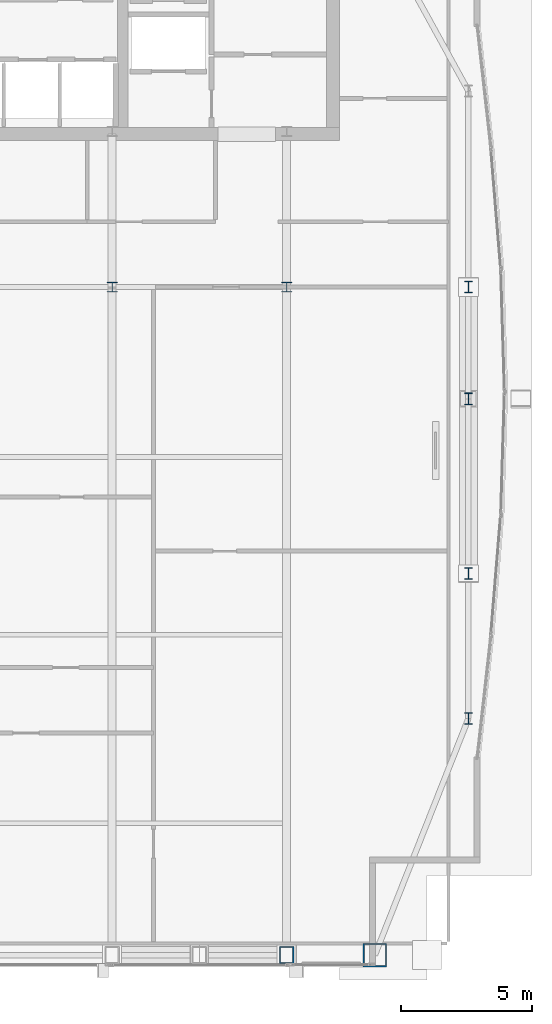
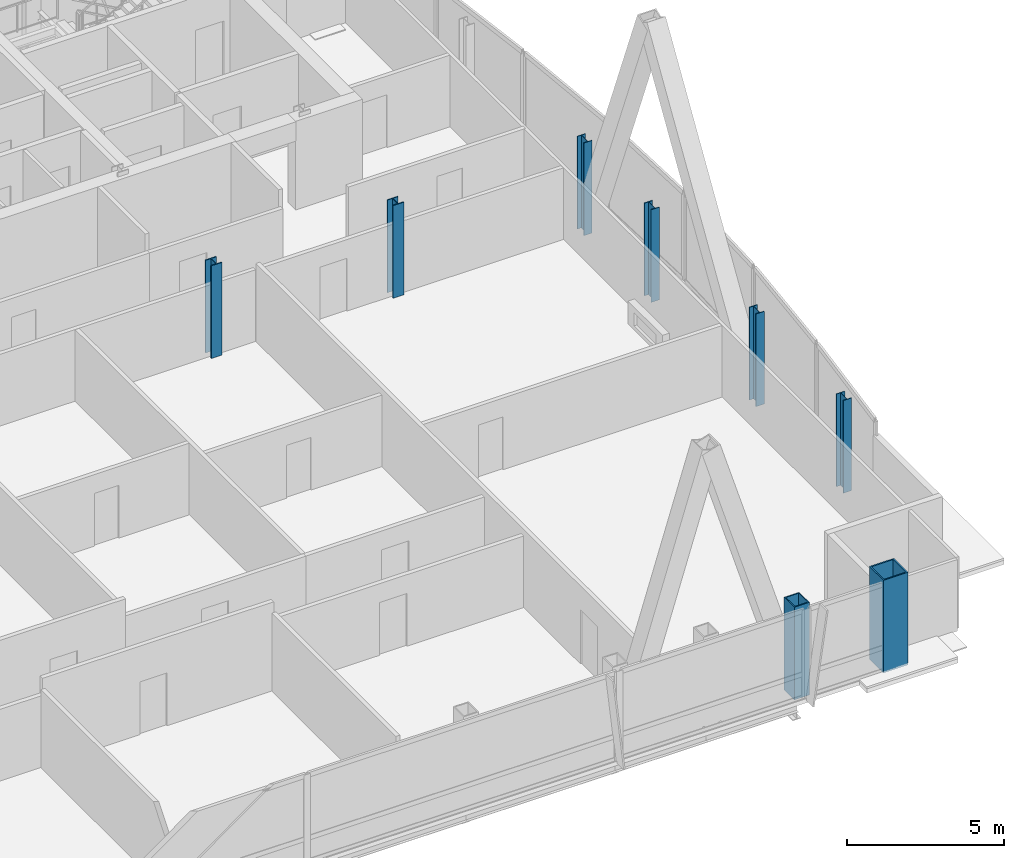
# One storey, part 2 of 28: 8 columns.
"""IFC4 building model written with IfcOpenShell, lengths in metres."""

from ifc_helpers import new_model, si_unit, direction, frame, origin, origin_2d, place, context, subcontext, project, spatial, hollow_rectangle, i_section, extrude, material, material_profile, profile_set, type_object, element, save


model = new_model("IFC4")

# Units and contexts
model_context = context("Model", 3, precision=1e-05, world=origin(), true_north=direction((0.0, 1.0)))
body_context = subcontext(model_context, "Body", "Model", "MODEL_VIEW")
ifc_project = project(units=[si_unit("LENGTHUNIT", "METRE"), si_unit("AREAUNIT", "SQUARE_METRE"), si_unit("VOLUMEUNIT", "CUBIC_METRE"), si_unit("PLANEANGLEUNIT", "RADIAN"), si_unit("MASSUNIT", "GRAM", prefix="KILO")], contexts=[model_context])

# Site, building, storey
site_placement = place(None, origin())
site = spatial("IfcSite", under=ifc_project, at=site_placement, CompositionType="ELEMENT")
building_placement = place(site_placement, origin())
building = spatial("IfcBuilding", under=site, at=building_placement, Name="Khoronbel Lancet Exchange", CompositionType="ELEMENT")
storey_placement = place(building_placement, frame((0.0, 0.0, 291.39990234375)))
storey = spatial("IfcBuildingStorey", under=building, at=storey_placement, Name="L75", CompositionType="ELEMENT", Elevation=291.39990234375)

# Columns
ifc_material_1 = material(Name="Steel S460", Category="steel")
ifc_material_profile_1 = material_profile(ifc_material_1, hollow_rectangle(XDim=0.550048828125, YDim=0.64990234375, WallThickness=0.0400390625, at=origin_2d()), Name="BOX 650x550x40")
ifc_profile_set_1 = profile_set([ifc_material_profile_1], Name="Steel S460")
column_type_1 = type_object("IfcColumnType", Name="COL-EC4", PredefinedType="COLUMN", material=ifc_profile_set_1)
column_1_placement = place(storey_placement, frame((54.675048828125, 10.14990234375, 0.0), z_axis=(0.0, 0.0, 1.0), x_axis=(1.0, 0.0, 0.0)))
element("IfcColumn", 1, at=column_1_placement, inside=storey, type_object=column_type_1, Name="Structural column SC-E2 L75", PredefinedType="COLUMN", context=body_context, shape_type="SweptSolid", body=[
    extrude(hollow_rectangle(XDim=0.550048828125, YDim=0.64990234375, WallThickness=0.0400390625, at=origin_2d()), origin(), (0.0, 0.0, 1.0), 3.60009765625),
])
ifc_material_2 = material(Name="Steel S355", Category="steel")
ifc_material_profile_2 = material_profile(ifc_material_2, i_section(OverallWidth=0.39892578125, OverallDepth=0.39306640625, WebThickness=0.022705078125, FlangeThickness=0.03662109375, at=origin_2d()), Name="HD 400x287")
ifc_profile_set_2 = profile_set([ifc_material_profile_2], Name="Steel S355")
column_type_2 = type_object("IfcColumnType", Name="COL-IC4", PredefinedType="COLUMN", material=ifc_profile_set_2)
for number, where, z_axis, x_axis, name in (
    (2, (48.0, 35.699951171875, 0.0), (0.0, 0.0, 1.0), (1.0, 0.0, 0.0), "Spine gravity column TC3 L75"),
    (3, (54.675048828125, 35.699951171875, 0.0), (0.0, 0.0, 1.0), (1.0, 0.0, 0.0), "Spine gravity column TC4 L75"),
):
    element("IfcColumn", number, at=place(storey_placement, frame(where, z_axis=z_axis, x_axis=x_axis)), inside=storey, type_object=column_type_2, Name=name, PredefinedType="COLUMN", context=body_context, shape_type="SweptSolid", body=[
        extrude(i_section(OverallWidth=0.39892578125, OverallDepth=0.39306640625, WebThickness=0.022705078125, FlangeThickness=0.03662109375, at=origin_2d()), origin(), (0.0, 0.0, 1.0), 3.60009765625),
    ])
ifc_material_profile_3 = material_profile(ifc_material_2, i_section(OverallWidth=0.300048828125, OverallDepth=0.449951171875, WebThickness=0.013916015625, FlangeThickness=0.02587890625, at=origin_2d()), Name="HEB 450")
ifc_profile_set_3 = profile_set([ifc_material_profile_3], Name="Steel S355")
column_type_3 = type_object("IfcColumnType", Name="COL-LC2", PredefinedType="COLUMN", material=ifc_profile_set_3)
for number, where, z_axis, x_axis, name in (
    (4, (61.6298828125, 19.199951171875, 0.0), (0.0, 0.0, 1.0), (1.0, 0.0, 0.0), "Structural column EC-1 L75"),
    (5, (61.6298828125, 24.75, 0.0), (0.0, 0.0, 1.0), (1.0, 0.0, 0.0), "Structural column EC-2 L75"),
    (6, (61.6298828125, 31.425048828125, 0.0), (0.0, 0.0, 1.0), (1.0, 0.0, 0.0), "Structural column EC-M L75"),
    (7, (61.6298828125, 35.699951171875, 0.0), (0.0, 0.0, 1.0), (1.0, 0.0, 0.0), "Structural column EC-3 L75"),
):
    element("IfcColumn", number, at=place(storey_placement, frame(where, z_axis=z_axis, x_axis=x_axis)), inside=storey, type_object=column_type_3, Name=name, PredefinedType="COLUMN", context=body_context, shape_type="SweptSolid", body=[
        extrude(i_section(OverallWidth=0.300048828125, OverallDepth=0.449951171875, WebThickness=0.013916015625, FlangeThickness=0.02587890625, at=origin_2d()), origin(), (0.0, 0.0, 1.0), 3.60009765625),
    ])
ifc_material_profile_4 = material_profile(ifc_material_1, hollow_rectangle(XDim=0.89990234375, YDim=0.89990234375, WallThickness=0.050048828125, at=origin_2d()), Name="BOX 900x900x50")
ifc_profile_set_4 = profile_set([ifc_material_profile_4], Name="Steel S460")
column_type_4 = type_object("IfcColumnType", Name="COL-MC7", PredefinedType="COLUMN", material=ifc_profile_set_4)
column_2_placement = place(storey_placement, frame((58.050048828125, 10.14990234375, 0.0), z_axis=(0.0, 0.0, 1.0), x_axis=(1.0, 0.0, 0.0)))
element("IfcColumn", 8, at=column_2_placement, inside=storey, type_object=column_type_4, Name="Structural column MC-SE L75", PredefinedType="COLUMN", context=body_context, shape_type="SweptSolid", body=[
    extrude(hollow_rectangle(XDim=0.89990234375, YDim=0.89990234375, WallThickness=0.050048828125, at=origin_2d()), origin(), (0.0, 0.0, 1.0), 3.60009765625),
])

save(model, "model.ifc")
